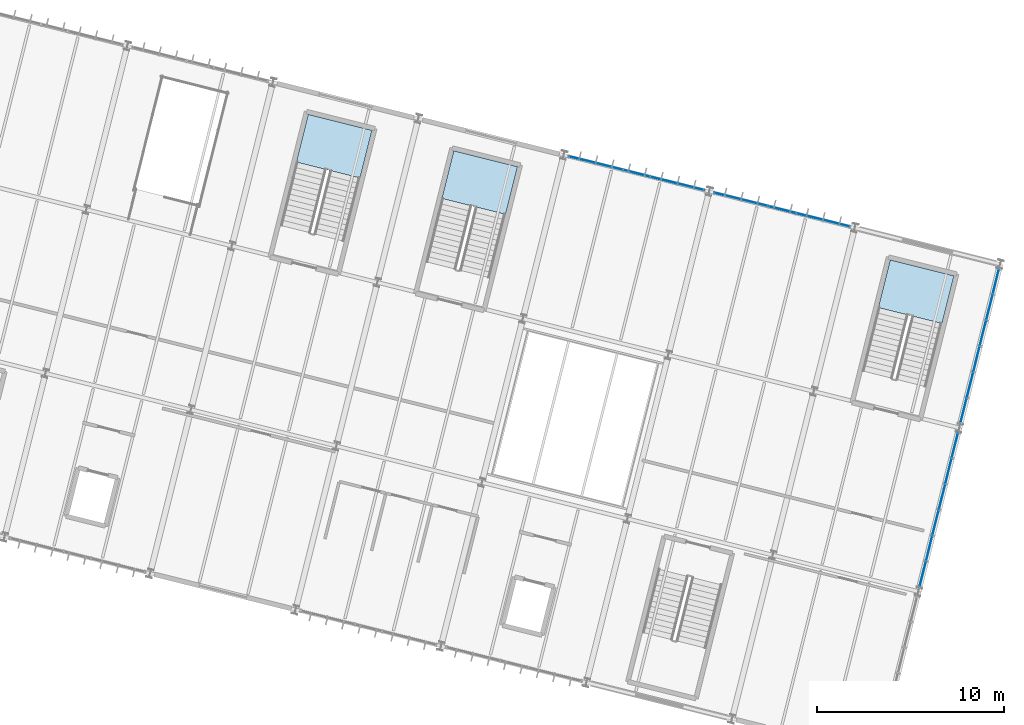
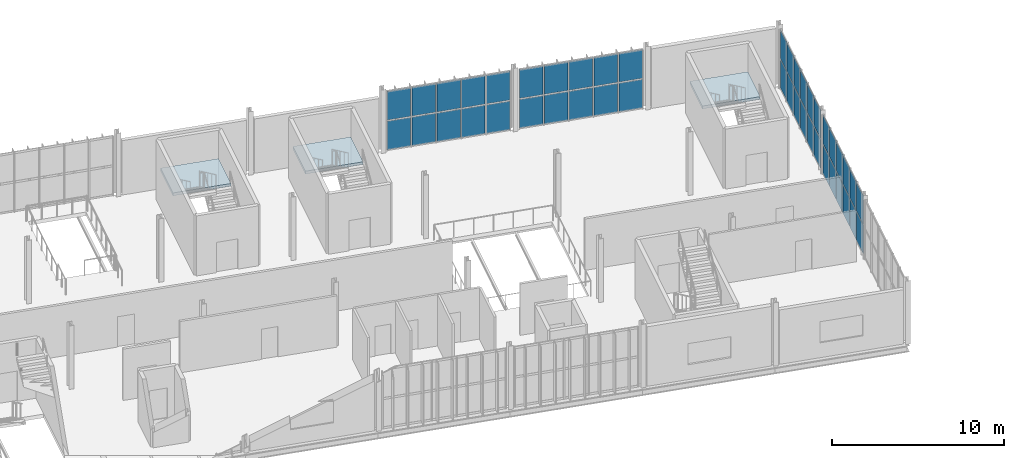
# One storey, part 116 of 152: 44 plates, 3 slabs, 7 elements without a shape of their own.
"""IFC4 building model written with IfcOpenShell, lengths in metres."""

import ifcopenshell
import ifcopenshell.guid

model = None  # the IFC model being written
_history = None  # IfcOwnerHistory: only IFC2X3 demands one
_inside = {}  # id of a spatial element -> (the spatial element, [elements in it])
_under = {}  # id of a project, library or spatial element -> (it, [spatial elements below it])
_declared = {}  # id of a project -> (the project, [libraries it declares])
_typed = {}  # id of a type object -> (the type object, [elements of that type])
_made_of = {}  # id of a material, layer set ... -> (it, [elements and type objects made of it])


def new_model(schema):
    """Start an empty IFC model of exactly this schema.

    Asked for "IFC4X3", IfcOpenShell would pick the latest addendum, in which some entities
    have other attributes; the version numbers below select the first issue.
    IFC2X3 requires an IfcOwnerHistory on every rooted entity: one is made here for all.
    """
    global model, _history
    if schema == "IFC4X3":
        model = ifcopenshell.file(schema_version=(4, 3, 0, 0))
    else:
        model = ifcopenshell.file(schema=schema)
    _inside.clear()
    _under.clear()
    _declared.clear()
    _typed.clear()
    _made_of.clear()
    _history = None
    if model.schema == "IFC2X3":
        org = make("IfcOrganization", Name="unknown")
        user = make(
            "IfcPersonAndOrganization",
            ThePerson=make("IfcPerson", FamilyName="unknown"),
            TheOrganization=org,
        )
        app = make(
            "IfcApplication",
            ApplicationDeveloper=org,
            Version="unknown",
            ApplicationFullName="unknown",
            ApplicationIdentifier="unknown",
        )
        _history = make(
            "IfcOwnerHistory",
            OwningUser=user,
            OwningApplication=app,
            ChangeAction="ADDED",
            CreationDate=0,
        )
    return model


def make(cls, **values):
    """One entity of the class cls with the attributes given. An attribute that is None is left unset."""
    return model.create_entity(
        cls, **{name: value for name, value in values.items() if value is not None}
    )


def rooted(cls, **values):
    """An entity with a GlobalId (a new one), such as an element, a storey or a relation."""
    return make(cls, GlobalId=ifcopenshell.guid.new(), OwnerHistory=_history, **values)


def si_unit(unit_type, name, prefix=None):
    """IfcSIUnit, for example si_unit("LENGTHUNIT", "METRE", prefix="MILLI")."""
    return make("IfcSIUnit", UnitType=unit_type, Prefix=prefix, Name=name)


def derived_unit(unit_type, elements):
    """IfcDerivedUnit: a product of units, each with its exponent."""
    return make(
        "IfcDerivedUnit",
        Elements=[
            make("IfcDerivedUnitElement", Unit=unit, Exponent=power)
            for unit, power in elements
        ],
        UnitType=unit_type,
    )


def assignment(units):
    """IfcUnitAssignment: the units of a project."""
    return None if units is None else make("IfcUnitAssignment", Units=units)


def point(xyz):
    """IfcCartesianPoint."""
    return None if xyz is None else make("IfcCartesianPoint", Coordinates=xyz)


def direction(xyz):
    """IfcDirection."""
    return None if xyz is None else make("IfcDirection", DirectionRatios=xyz)


def frame(location, z_axis=None, x_axis=None):
    """IfcAxis2Placement3D, a coordinate frame: its origin and axes. An axis left out is left unset."""
    return make(
        "IfcAxis2Placement3D",
        Location=point(location),
        Axis=direction(z_axis),
        RefDirection=direction(x_axis),
    )


def frame_2d(location, x_axis=None):
    """IfcAxis2Placement2D, a coordinate frame in the plane: its origin and x axis."""
    return make(
        "IfcAxis2Placement2D", Location=point(location), RefDirection=direction(x_axis)
    )


def origin():
    """The frame at (0, 0, 0) with its axes left unset."""
    return frame((0.0, 0.0, 0.0))


def origin_2d():
    """The frame at (0, 0) in the plane with its x axis left unset."""
    return frame_2d((0.0, 0.0))


def place(relative_to, where):
    """IfcLocalPlacement: puts the frame where relative to a parent placement (None: the world)."""
    return make(
        "IfcLocalPlacement", PlacementRelTo=relative_to, RelativePlacement=where
    )


def context(
    kind, dimensions, precision=None, world=None, true_north=None, identifier=None
):
    """IfcGeometricRepresentationContext, for example the 3D "Model" context."""
    return make(
        "IfcGeometricRepresentationContext",
        ContextIdentifier=identifier,
        ContextType=kind,
        CoordinateSpaceDimension=dimensions,
        Precision=precision,
        WorldCoordinateSystem=world,
        TrueNorth=true_north,
    )


def subcontext(parent, identifier, kind, view, scale=None):
    """IfcGeometricRepresentationSubContext, for example "Body" below "Model"."""
    return make(
        "IfcGeometricRepresentationSubContext",
        ContextIdentifier=identifier,
        ContextType=kind,
        ParentContext=parent,
        TargetScale=scale,
        TargetView=view,
    )


def project(units=None, contexts=None):
    """IfcProject with its units and contexts."""
    return rooted(
        "IfcProject",
        Name="project",
        RepresentationContexts=contexts,
        UnitsInContext=assignment(units),
    )


def spatial(cls, under=None, at=None, **own):
    """A site, building, storey or space (cls), placed at a placement, below another one or the project."""
    s = rooted(cls, ObjectPlacement=at, **own)
    if under is not None:
        _under.setdefault(under.id(), (under, []))[1].append(s)
    return s


def polyline(points):
    """IfcPolyline through the points."""
    return make("IfcPolyline", Points=[point(p) for p in points])


def profile(cls, at=None, kind="AREA", **sizes):
    """A parametric profile (cls). Its sizes go by their IFC names, for example OverallWidth=200.0."""
    return make(cls, ProfileType=kind, Position=at, **sizes)


def rectangle(**sizes):
    """IfcRectangleProfileDef."""
    return profile("IfcRectangleProfileDef", **sizes)


def outline(outer, holes=None, kind="AREA"):
    """IfcArbitraryClosedProfileDef: a profile drawn as a closed curve; with holes, ...WithVoids."""
    if holes is None:
        return make("IfcArbitraryClosedProfileDef", ProfileType=kind, OuterCurve=outer)
    return make(
        "IfcArbitraryProfileDefWithVoids",
        ProfileType=kind,
        OuterCurve=outer,
        InnerCurves=holes,
    )


def extrude(swept, where, along, depth):
    """IfcExtrudedAreaSolid: the profile swept, set in the frame where, extruded along a direction by depth."""
    return make(
        "IfcExtrudedAreaSolid",
        SweptArea=swept,
        Position=where,
        ExtrudedDirection=direction(along),
        Depth=depth,
    )


def shape(context_of_items, identifier, shape_type, items):
    """IfcShapeRepresentation: the items that make up one representation, for example the "Body"."""
    return make(
        "IfcShapeRepresentation",
        ContextOfItems=context_of_items,
        RepresentationIdentifier=identifier,
        RepresentationType=shape_type,
        Items=items,
    )


def material(Name=None, Category=None):
    """IfcMaterial."""
    return make("IfcMaterial", Name=Name, Category=Category)


def layer(
    of_material, thickness, ventilated=None, Name=None, Category=None, Priority=None
):
    """IfcMaterialLayer: one layer of a wall or slab, of a material (None: an air gap)."""
    return make(
        "IfcMaterialLayer",
        Material=of_material,
        LayerThickness=thickness,
        IsVentilated=ventilated,
        Name=Name,
        Category=Category,
        Priority=Priority,
    )


def layer_set(layers, Name=None):
    """IfcMaterialLayerSet."""
    return make("IfcMaterialLayerSet", MaterialLayers=layers, LayerSetName=Name)


def made_of(thing, what):
    """Note that an element or type object is made of a material, layer set ...; save() writes the relation."""
    if what is not None:
        _made_of.setdefault(what.id(), (what, []))[1].append(thing)
    return thing


def type_object(cls, material=None, **own):
    """A type object (cls), such as IfcWallType, which elements share."""
    return made_of(rooted(cls, **own), material)


def element(
    cls,
    number,
    at=None,
    inside=None,
    cuts=None,
    type_object=None,
    material=None,
    context=None,
    identifier="Body",
    shape_type=None,
    held_by="IfcProductDefinitionShape",
    body=None,
    shapes=None,
    **own,
):
    """One element of the class cls, such as IfcWall. Its Tag is "e" and its number.

    at: its placement. inside: the storey or other place that contains it. cuts: it is an
    opening in that element (IfcRelVoidsElement). A single representation is given by context,
    identifier, shape_type and body (its items); several are given by shapes. held_by: the class
    of the entity that holds the representations. save() writes the other relations.
    """
    e = rooted(cls, Tag="e%d" % number, ObjectPlacement=at, **own)
    if body is not None:
        shapes = [shape(context, identifier, shape_type, body)]
    if shapes is not None:
        e.Representation = make(held_by, Representations=shapes)
    if inside is not None:
        _inside.setdefault(inside.id(), (inside, []))[1].append(e)
    if cuts is not None:
        rooted(
            "IfcRelVoidsElement", RelatingBuildingElement=cuts, RelatedOpeningElement=e
        )
    if type_object is not None:
        _typed.setdefault(type_object.id(), (type_object, []))[1].append(e)
    return made_of(e, material)


def aggregate(whole, parts):
    """IfcRelAggregates: a whole, such as a stair, and the parts it consists of."""
    return rooted("IfcRelAggregates", RelatingObject=whole, RelatedObjects=parts)


def save(model, path):
    """Write the relations noted so far, then the file.

    IfcRelAggregates (storeys below a building ...), IfcRelContainedInSpatialStructure (elements
    in a storey), IfcRelDefinesByType, IfcRelAssociatesMaterial and IfcRelDeclares: one each for
    every whole, place, type object, material and project.
    """
    for whole, parts in _under.values():
        aggregate(whole, parts)
    for where, things in _inside.values():
        rooted(
            "IfcRelContainedInSpatialStructure",
            RelatedElements=things,
            RelatingStructure=where,
        )
    for kind, things in _typed.values():
        rooted("IfcRelDefinesByType", RelatedObjects=things, RelatingType=kind)
    for what, things in _made_of.values():
        rooted("IfcRelAssociatesMaterial", RelatedObjects=things, RelatingMaterial=what)
    for by, libraries in _declared.values():
        rooted("IfcRelDeclares", RelatingContext=by, RelatedDefinitions=libraries)
    model.write(path)


model = new_model("IFC4")

# Units and contexts
model_context = context("Model", 3, precision=1e-05, world=origin(), true_north=direction((0.0, 1.0)))
body_context = subcontext(model_context, "Body", "Model", "MODEL_VIEW")
ifc_project = project(units=[si_unit("LENGTHUNIT", "METRE"), si_unit("AREAUNIT", "SQUARE_METRE"), si_unit("VOLUMEUNIT", "CUBIC_METRE"), si_unit("PLANEANGLEUNIT", "RADIAN"), si_unit("MASSUNIT", "GRAM", prefix="KILO"), si_unit("THERMODYNAMICTEMPERATUREUNIT", "KELVIN"), si_unit("TIMEUNIT", "SECOND"), derived_unit("THERMALTRANSMITTANCEUNIT", [(si_unit("MASSUNIT", "GRAM", prefix="KILO"), 1), (si_unit("THERMODYNAMICTEMPERATUREUNIT", "KELVIN"), -1), (si_unit("TIMEUNIT", "SECOND"), -3)])], contexts=[model_context])

# Site, building, storey
site_placement = place(None, origin())
site = spatial("IfcSite", under=ifc_project, at=site_placement, CompositionType="ELEMENT")
building_placement = place(site_placement, origin())
building = spatial("IfcBuilding", under=site, at=building_placement, Name="Cambertide Market Hall", CompositionType="ELEMENT")
storey_placement = place(building_placement, frame((0.0, 0.0, 5.39990234375)))
storey = spatial("IfcBuildingStorey", under=building, at=storey_placement, Name="L02", CompositionType="ELEMENT", Elevation=5.39990234375)

# Stair, slab
ifc_material_1 = material(Name="Concrete B35", Category="concrete")
stair_type_1 = type_object("IfcStairType", Name="Concrete Dogleg Stair ST-07B", PredefinedType="HALF_TURN_STAIR", material=ifc_material_1)
stair_1_placement = place(storey_placement, origin())
stair_1 = element("IfcStair", 1, at=stair_1_placement, inside=storey, type_object=stair_type_1, Name="Level 2 Exit Stair Core 07B", PredefinedType="HALF_TURN_STAIR")
ifc_material_2 = material(Name="Concrete B35", Category="concrete")
ifc_layer_1 = layer(ifc_material_2, 0.199951171875, Name="Concrete Stair Half-Landing 200")
ifc_layer_set_1 = layer_set([ifc_layer_1], Name="Concrete B35")
slab_type = type_object("IfcSlabType", Name="Concrete Stair Half-Landing 200", PredefinedType="LANDING", material=ifc_layer_set_1)
slab_1_placement = place(storey_placement, frame((0.0, 0.0, 2.050048828125)))
slab_1 = element("IfcSlab", 2, at=slab_1_placement, type_object=slab_type, Name="ST-07B landing 1", PredefinedType="LANDING", context=body_context, shape_type="SweptSolid", body=[
    extrude(outline(polyline([(142.482666015625, 115.2685546875), (143.119140625, 117.814208984375), (139.7236328125, 118.6630859375), (139.087158203125, 116.117431640625), (142.482666015625, 115.2685546875)])), origin(), (0.0, 0.0, 1.0), 0.199951171875),
])
aggregate(stair_1, [slab_1])

ifc_material_3 = material(Name="Concrete B35", Category="concrete")
stair_type_2 = type_object("IfcStairType", Name="Concrete Dogleg Stair ST-08B", PredefinedType="HALF_TURN_STAIR", material=ifc_material_3)
stair_2_placement = place(storey_placement, origin())
stair_2 = element("IfcStair", 3, at=stair_2_placement, inside=storey, type_object=stair_type_2, Name="Level 2 Exit Stair Core 08B", PredefinedType="HALF_TURN_STAIR")
slab_2_placement = place(storey_placement, frame((0.0, 0.0, 2.050048828125)))
slab_2 = element("IfcSlab", 4, at=slab_2_placement, type_object=slab_type, Name="ST-08B landing 1", PredefinedType="LANDING", context=body_context, shape_type="SweptSolid", body=[
    extrude(outline(polyline([(173.52734375, 107.507568359375), (174.163818359375, 110.05322265625), (170.768310546875, 110.90185546875), (170.1318359375, 108.356201171875), (173.52734375, 107.507568359375)])), origin(), (0.0, 0.0, 1.0), 0.199951171875),
])
aggregate(stair_2, [slab_2])

ifc_material_4 = material(Name="Concrete B35", Category="concrete")
stair_type_3 = type_object("IfcStairType", Name="Concrete Dogleg Stair ST-09", PredefinedType="HALF_TURN_STAIR", material=ifc_material_4)
stair_3_placement = place(storey_placement, origin())
stair_3 = element("IfcStair", 5, at=stair_3_placement, inside=storey, type_object=stair_type_3, Name="Level 2 Exit Stair Core 09", PredefinedType="HALF_TURN_STAIR")
slab_3_placement = place(storey_placement, frame((0.0, 0.0, 2.050048828125)))
slab_3 = element("IfcSlab", 6, at=slab_3_placement, type_object=slab_type, Name="ST-09 landing 1", PredefinedType="LANDING", context=body_context, shape_type="SweptSolid", body=[
    extrude(outline(polyline([(150.243896484375, 113.328369140625), (150.88037109375, 115.8740234375), (147.48486328125, 116.722900390625), (146.848388671875, 114.17724609375), (150.243896484375, 113.328369140625)])), origin(), (0.0, 0.0, 1.0), 0.199951171875),
])
aggregate(stair_3, [slab_3])

# Curtain wall, plates
ifc_material_5 = material(Name="Marine Anodized Aluminium 6063-T6 AA25", Category="aluminium")
curtain_wall_type_1 = type_object("IfcCurtainWallType", Name="Culinary Teaching Kitchen Curtain Wall", PredefinedType="USERDEFINED", material=ifc_material_5)
curtain_wall_1_placement = place(storey_placement, origin())
curtain_wall_1 = element("IfcCurtainWall", 7, at=curtain_wall_1_placement, inside=storey, type_object=curtain_wall_type_1, Name="Level 2 Curtain Wall CW-V4N-L02-6", ObjectType="UNITIZED CURTAIN WALL", PredefinedType="USERDEFINED")
ifc_material_6 = material(Name="Low-E Laminated Insulated Glass", Category="glass")
ifc_layer_2 = layer(ifc_material_6, 0.028076171875, Name="Vision Insulated Glazing Panel 28")
ifc_layer_set_2 = layer_set([ifc_layer_2], Name="Low-E Laminated Insulated Glass")
plate_type = type_object("IfcPlateType", Name="Vision Insulated Glazing Panel 28", PredefinedType="CURTAIN_PANEL", material=ifc_layer_set_2)
plate_1_placement = place(storey_placement, frame((154.316650390625, 116.251708984375, 0.0400390625), z_axis=(0.0, 0.0, 1.0), x_axis=(0.970142500145, -0.242535625038, 0.0)))
plate_1 = element("IfcPlate", 8, at=plate_1_placement, type_object=plate_type, Name="CW-V4N-L02-6 Glazing Panel 1-1", PredefinedType="CURTAIN_PANEL", context=body_context, shape_type="SweptSolid", body=[
    extrude(rectangle(XDim=1.424072265625, YDim=0.028076171875, at=origin_2d()), origin(), (0.0, 0.0, 1.0), 2.030029296875),
])
plate_2_placement = place(storey_placement, frame((155.775634765625, 115.886962890625, 0.0400390625), z_axis=(0.0, 0.0, 1.0), x_axis=(0.970142500145, -0.242535625038, 0.0)))
plate_2 = element("IfcPlate", 9, at=plate_2_placement, type_object=plate_type, Name="CW-V4N-L02-6 Glazing Panel 1-2", PredefinedType="CURTAIN_PANEL", context=body_context, shape_type="SweptSolid", body=[
    extrude(rectangle(XDim=1.424072265625, YDim=0.028076171875, at=origin_2d()), origin(), (0.0, 0.0, 1.0), 2.030029296875),
])
plate_3_placement = place(storey_placement, frame((157.234619140625, 115.522216796875, 0.0400390625), z_axis=(0.0, 0.0, 1.0), x_axis=(0.970142500145, -0.242535625038, 0.0)))
plate_3 = element("IfcPlate", 10, at=plate_3_placement, type_object=plate_type, Name="CW-V4N-L02-6 Glazing Panel 1-3", PredefinedType="CURTAIN_PANEL", context=body_context, shape_type="SweptSolid", body=[
    extrude(rectangle(XDim=1.424072265625, YDim=0.028076171875, at=origin_2d()), origin(), (0.0, 0.0, 1.0), 2.030029296875),
])
plate_4_placement = place(storey_placement, frame((158.69384765625, 115.157470703125, 0.0400390625), z_axis=(0.0, 0.0, 1.0), x_axis=(0.970142500145, -0.242535625038, 0.0)))
plate_4 = element("IfcPlate", 11, at=plate_4_placement, type_object=plate_type, Name="CW-V4N-L02-6 Glazing Panel 1-4", PredefinedType="CURTAIN_PANEL", context=body_context, shape_type="SweptSolid", body=[
    extrude(rectangle(XDim=1.424072265625, YDim=0.028076171875, at=origin_2d()), origin(), (0.0, 0.0, 1.0), 2.030029296875),
])
plate_5_placement = place(storey_placement, frame((160.15283203125, 114.792724609375, 0.0400390625), z_axis=(0.0, 0.0, 1.0), x_axis=(0.970142500145, -0.242535625038, 0.0)))
plate_5 = element("IfcPlate", 12, at=plate_5_placement, type_object=plate_type, Name="CW-V4N-L02-6 Glazing Panel 1-5", PredefinedType="CURTAIN_PANEL", context=body_context, shape_type="SweptSolid", body=[
    extrude(rectangle(XDim=1.424072265625, YDim=0.028076171875, at=origin_2d()), origin(), (0.0, 0.0, 1.0), 2.030029296875),
])
plate_6_placement = place(storey_placement, frame((154.316650390625, 116.251708984375, 2.14990234375), z_axis=(0.0, 0.0, 1.0), x_axis=(0.970142500145, -0.242535625038, 0.0)))
plate_6 = element("IfcPlate", 13, at=plate_6_placement, type_object=plate_type, Name="CW-V4N-L02-6 Glazing Panel 2-1", PredefinedType="CURTAIN_PANEL", context=body_context, shape_type="SweptSolid", body=[
    extrude(rectangle(XDim=1.424072265625, YDim=0.028076171875, at=origin_2d()), origin(), (0.0, 0.0, 1.0), 2.030029296875),
])
plate_7_placement = place(storey_placement, frame((155.775634765625, 115.886962890625, 2.14990234375), z_axis=(0.0, 0.0, 1.0), x_axis=(0.970142500145, -0.242535625038, 0.0)))
plate_7 = element("IfcPlate", 14, at=plate_7_placement, type_object=plate_type, Name="CW-V4N-L02-6 Glazing Panel 2-2", PredefinedType="CURTAIN_PANEL", context=body_context, shape_type="SweptSolid", body=[
    extrude(rectangle(XDim=1.424072265625, YDim=0.028076171875, at=origin_2d()), origin(), (0.0, 0.0, 1.0), 2.030029296875),
])
plate_8_placement = place(storey_placement, frame((157.234619140625, 115.522216796875, 2.14990234375), z_axis=(0.0, 0.0, 1.0), x_axis=(0.970142500145, -0.242535625038, 0.0)))
plate_8 = element("IfcPlate", 15, at=plate_8_placement, type_object=plate_type, Name="CW-V4N-L02-6 Glazing Panel 2-3", PredefinedType="CURTAIN_PANEL", context=body_context, shape_type="SweptSolid", body=[
    extrude(rectangle(XDim=1.424072265625, YDim=0.028076171875, at=origin_2d()), origin(), (0.0, 0.0, 1.0), 2.030029296875),
])
plate_9_placement = place(storey_placement, frame((158.69384765625, 115.157470703125, 2.14990234375), z_axis=(0.0, 0.0, 1.0), x_axis=(0.970142500145, -0.242535625038, 0.0)))
plate_9 = element("IfcPlate", 16, at=plate_9_placement, type_object=plate_type, Name="CW-V4N-L02-6 Glazing Panel 2-4", PredefinedType="CURTAIN_PANEL", context=body_context, shape_type="SweptSolid", body=[
    extrude(rectangle(XDim=1.424072265625, YDim=0.028076171875, at=origin_2d()), origin(), (0.0, 0.0, 1.0), 2.030029296875),
])
plate_10_placement = place(storey_placement, frame((160.15283203125, 114.792724609375, 2.14990234375), z_axis=(0.0, 0.0, 1.0), x_axis=(0.970142500145, -0.242535625038, 0.0)))
plate_10 = element("IfcPlate", 17, at=plate_10_placement, type_object=plate_type, Name="CW-V4N-L02-6 Glazing Panel 2-5", PredefinedType="CURTAIN_PANEL", context=body_context, shape_type="SweptSolid", body=[
    extrude(rectangle(XDim=1.424072265625, YDim=0.028076171875, at=origin_2d()), origin(), (0.0, 0.0, 1.0), 2.030029296875),
])
aggregate(curtain_wall_1, [plate_1, plate_2, plate_3, plate_4, plate_5, plate_6, plate_7, plate_8, plate_9, plate_10])

curtain_wall_2_placement = place(storey_placement, origin())
curtain_wall_2 = element("IfcCurtainWall", 18, at=curtain_wall_2_placement, inside=storey, type_object=curtain_wall_type_1, Name="Level 2 Curtain Wall CW-V4N-L02-7", ObjectType="UNITIZED CURTAIN WALL", PredefinedType="USERDEFINED")
plate_11_placement = place(storey_placement, frame((162.07763671875, 114.3115234375, 0.0400390625), z_axis=(0.0, 0.0, 1.0), x_axis=(0.970142500145, -0.242535625038, 0.0)))
plate_11 = element("IfcPlate", 19, at=plate_11_placement, type_object=plate_type, Name="CW-V4N-L02-7 Glazing Panel 1-1", PredefinedType="CURTAIN_PANEL", context=body_context, shape_type="SweptSolid", body=[
    extrude(rectangle(XDim=1.424072265625, YDim=0.028076171875, at=origin_2d()), origin(), (0.0, 0.0, 1.0), 2.030029296875),
])
plate_12_placement = place(storey_placement, frame((163.536865234375, 113.94677734375, 0.0400390625), z_axis=(0.0, 0.0, 1.0), x_axis=(0.970142500145, -0.242535625038, 0.0)))
plate_12 = element("IfcPlate", 20, at=plate_12_placement, type_object=plate_type, Name="CW-V4N-L02-7 Glazing Panel 1-2", PredefinedType="CURTAIN_PANEL", context=body_context, shape_type="SweptSolid", body=[
    extrude(rectangle(XDim=1.424072265625, YDim=0.028076171875, at=origin_2d()), origin(), (0.0, 0.0, 1.0), 2.030029296875),
])
plate_13_placement = place(storey_placement, frame((164.995849609375, 113.58203125, 0.0400390625), z_axis=(0.0, 0.0, 1.0), x_axis=(0.970142500145, -0.242535625038, 0.0)))
plate_13 = element("IfcPlate", 21, at=plate_13_placement, type_object=plate_type, Name="CW-V4N-L02-7 Glazing Panel 1-3", PredefinedType="CURTAIN_PANEL", context=body_context, shape_type="SweptSolid", body=[
    extrude(rectangle(XDim=1.424072265625, YDim=0.028076171875, at=origin_2d()), origin(), (0.0, 0.0, 1.0), 2.030029296875),
])
plate_14_placement = place(storey_placement, frame((166.455078125, 113.21728515625, 0.0400390625), z_axis=(0.0, 0.0, 1.0), x_axis=(0.970142500145, -0.242535625038, 0.0)))
plate_14 = element("IfcPlate", 22, at=plate_14_placement, type_object=plate_type, Name="CW-V4N-L02-7 Glazing Panel 1-4", PredefinedType="CURTAIN_PANEL", context=body_context, shape_type="SweptSolid", body=[
    extrude(rectangle(XDim=1.424072265625, YDim=0.028076171875, at=origin_2d()), origin(), (0.0, 0.0, 1.0), 2.030029296875),
])
plate_15_placement = place(storey_placement, frame((167.9140625, 112.8525390625, 0.0400390625), z_axis=(0.0, 0.0, 1.0), x_axis=(0.970142500145, -0.242535625038, 0.0)))
plate_15 = element("IfcPlate", 23, at=plate_15_placement, type_object=plate_type, Name="CW-V4N-L02-7 Glazing Panel 1-5", PredefinedType="CURTAIN_PANEL", context=body_context, shape_type="SweptSolid", body=[
    extrude(rectangle(XDim=1.424072265625, YDim=0.028076171875, at=origin_2d()), origin(), (0.0, 0.0, 1.0), 2.030029296875),
])
plate_16_placement = place(storey_placement, frame((162.07763671875, 114.3115234375, 2.14990234375), z_axis=(0.0, 0.0, 1.0), x_axis=(0.970142500145, -0.242535625038, 0.0)))
plate_16 = element("IfcPlate", 24, at=plate_16_placement, type_object=plate_type, Name="CW-V4N-L02-7 Glazing Panel 2-1", PredefinedType="CURTAIN_PANEL", context=body_context, shape_type="SweptSolid", body=[
    extrude(rectangle(XDim=1.424072265625, YDim=0.028076171875, at=origin_2d()), origin(), (0.0, 0.0, 1.0), 2.030029296875),
])
plate_17_placement = place(storey_placement, frame((163.536865234375, 113.94677734375, 2.14990234375), z_axis=(0.0, 0.0, 1.0), x_axis=(0.970142500145, -0.242535625038, 0.0)))
plate_17 = element("IfcPlate", 25, at=plate_17_placement, type_object=plate_type, Name="CW-V4N-L02-7 Glazing Panel 2-2", PredefinedType="CURTAIN_PANEL", context=body_context, shape_type="SweptSolid", body=[
    extrude(rectangle(XDim=1.424072265625, YDim=0.028076171875, at=origin_2d()), origin(), (0.0, 0.0, 1.0), 2.030029296875),
])
plate_18_placement = place(storey_placement, frame((164.995849609375, 113.58203125, 2.14990234375), z_axis=(0.0, 0.0, 1.0), x_axis=(0.970142500145, -0.242535625038, 0.0)))
plate_18 = element("IfcPlate", 26, at=plate_18_placement, type_object=plate_type, Name="CW-V4N-L02-7 Glazing Panel 2-3", PredefinedType="CURTAIN_PANEL", context=body_context, shape_type="SweptSolid", body=[
    extrude(rectangle(XDim=1.424072265625, YDim=0.028076171875, at=origin_2d()), origin(), (0.0, 0.0, 1.0), 2.030029296875),
])
plate_19_placement = place(storey_placement, frame((166.455078125, 113.21728515625, 2.14990234375), z_axis=(0.0, 0.0, 1.0), x_axis=(0.970142500145, -0.242535625038, 0.0)))
plate_19 = element("IfcPlate", 27, at=plate_19_placement, type_object=plate_type, Name="CW-V4N-L02-7 Glazing Panel 2-4", PredefinedType="CURTAIN_PANEL", context=body_context, shape_type="SweptSolid", body=[
    extrude(rectangle(XDim=1.424072265625, YDim=0.028076171875, at=origin_2d()), origin(), (0.0, 0.0, 1.0), 2.030029296875),
])
plate_20_placement = place(storey_placement, frame((167.9140625, 112.8525390625, 2.14990234375), z_axis=(0.0, 0.0, 1.0), x_axis=(0.970142500145, -0.242535625038, 0.0)))
plate_20 = element("IfcPlate", 28, at=plate_20_placement, type_object=plate_type, Name="CW-V4N-L02-7 Glazing Panel 2-5", PredefinedType="CURTAIN_PANEL", context=body_context, shape_type="SweptSolid", body=[
    extrude(rectangle(XDim=1.424072265625, YDim=0.028076171875, at=origin_2d()), origin(), (0.0, 0.0, 1.0), 2.030029296875),
])
aggregate(curtain_wall_2, [plate_11, plate_12, plate_13, plate_14, plate_15, plate_16, plate_17, plate_18, plate_19, plate_20])

ifc_material_7 = material(Name="Marine Anodized Aluminium 6063-T6 AA25", Category="aluminium")
curtain_wall_type_2 = type_object("IfcCurtainWallType", Name="Cooking School Classroom Curtain Wall", PredefinedType="USERDEFINED", material=ifc_material_7)
curtain_wall_3_placement = place(storey_placement, origin())
curtain_wall_3 = element("IfcCurtainWall", 29, at=curtain_wall_3_placement, inside=storey, type_object=curtain_wall_type_2, Name="Level 2 Curtain Wall CW-V4E-L02-2", ObjectType="UNITIZED CURTAIN WALL", PredefinedType="USERDEFINED")
plate_21_placement = place(storey_placement, frame((174.224365234375, 101.0185546875, 0.0400390625), z_axis=(0.0, 0.0, 1.0), x_axis=(-0.24253568027, -0.970142486337, 0.0)))
plate_21 = element("IfcPlate", 30, at=plate_21_placement, type_object=plate_type, Name="CW-V4E-L02-2 Glazing Panel 1-1", PredefinedType="CURTAIN_PANEL", context=body_context, shape_type="SweptSolid", body=[
    extrude(rectangle(XDim=1.340087890625, YDim=0.028076171875, at=origin_2d()), origin(), (0.0, 0.0, 1.0), 2.030029296875),
])
plate_22_placement = place(storey_placement, frame((173.8798828125, 99.64111328125, 0.0400390625), z_axis=(0.0, 0.0, 1.0), x_axis=(-0.24253568027, -0.970142486337, 0.0)))
plate_22 = element("IfcPlate", 31, at=plate_22_placement, type_object=plate_type, Name="CW-V4E-L02-2 Glazing Panel 1-2", PredefinedType="CURTAIN_PANEL", context=body_context, shape_type="SweptSolid", body=[
    extrude(rectangle(XDim=1.340087890625, YDim=0.028076171875, at=origin_2d()), origin(), (0.0, 0.0, 1.0), 2.030029296875),
])
plate_23_placement = place(storey_placement, frame((173.53564453125, 98.263427734375, 0.0400390625), z_axis=(0.0, 0.0, 1.0), x_axis=(-0.24253568027, -0.970142486337, 0.0)))
plate_23 = element("IfcPlate", 32, at=plate_23_placement, type_object=plate_type, Name="CW-V4E-L02-2 Glazing Panel 1-3", PredefinedType="CURTAIN_PANEL", context=body_context, shape_type="SweptSolid", body=[
    extrude(rectangle(XDim=1.340087890625, YDim=0.028076171875, at=origin_2d()), origin(), (0.0, 0.0, 1.0), 2.030029296875),
])
plate_24_placement = place(storey_placement, frame((173.191162109375, 96.8857421875, 0.0400390625), z_axis=(0.0, 0.0, 1.0), x_axis=(-0.24253568027, -0.970142486337, 0.0)))
plate_24 = element("IfcPlate", 33, at=plate_24_placement, type_object=plate_type, Name="CW-V4E-L02-2 Glazing Panel 1-4", PredefinedType="CURTAIN_PANEL", context=body_context, shape_type="SweptSolid", body=[
    extrude(rectangle(XDim=1.340087890625, YDim=0.028076171875, at=origin_2d()), origin(), (0.0, 0.0, 1.0), 2.030029296875),
])
plate_25_placement = place(storey_placement, frame((172.8466796875, 95.50830078125, 0.0400390625), z_axis=(0.0, 0.0, 1.0), x_axis=(-0.24253568027, -0.970142486337, 0.0)))
plate_25 = element("IfcPlate", 34, at=plate_25_placement, type_object=plate_type, Name="CW-V4E-L02-2 Glazing Panel 1-5", PredefinedType="CURTAIN_PANEL", context=body_context, shape_type="SweptSolid", body=[
    extrude(rectangle(XDim=1.340087890625, YDim=0.028076171875, at=origin_2d()), origin(), (0.0, 0.0, 1.0), 2.030029296875),
])
plate_26_placement = place(storey_placement, frame((172.50244140625, 94.130615234375, 0.0400390625), z_axis=(0.0, 0.0, 1.0), x_axis=(-0.24253568027, -0.970142486337, 0.0)))
plate_26 = element("IfcPlate", 35, at=plate_26_placement, type_object=plate_type, Name="CW-V4E-L02-2 Glazing Panel 1-6", PredefinedType="CURTAIN_PANEL", context=body_context, shape_type="SweptSolid", body=[
    extrude(rectangle(XDim=1.340087890625, YDim=0.028076171875, at=origin_2d()), origin(), (0.0, 0.0, 1.0), 2.030029296875),
])
plate_27_placement = place(storey_placement, frame((174.224365234375, 101.0185546875, 2.14990234375), z_axis=(0.0, 0.0, 1.0), x_axis=(-0.24253568027, -0.970142486337, 0.0)))
plate_27 = element("IfcPlate", 36, at=plate_27_placement, type_object=plate_type, Name="CW-V4E-L02-2 Glazing Panel 2-1", PredefinedType="CURTAIN_PANEL", context=body_context, shape_type="SweptSolid", body=[
    extrude(rectangle(XDim=1.340087890625, YDim=0.028076171875, at=origin_2d()), origin(), (0.0, 0.0, 1.0), 2.030029296875),
])
plate_28_placement = place(storey_placement, frame((173.8798828125, 99.64111328125, 2.14990234375), z_axis=(0.0, 0.0, 1.0), x_axis=(-0.24253568027, -0.970142486337, 0.0)))
plate_28 = element("IfcPlate", 37, at=plate_28_placement, type_object=plate_type, Name="CW-V4E-L02-2 Glazing Panel 2-2", PredefinedType="CURTAIN_PANEL", context=body_context, shape_type="SweptSolid", body=[
    extrude(rectangle(XDim=1.340087890625, YDim=0.028076171875, at=origin_2d()), origin(), (0.0, 0.0, 1.0), 2.030029296875),
])
plate_29_placement = place(storey_placement, frame((173.53564453125, 98.263427734375, 2.14990234375), z_axis=(0.0, 0.0, 1.0), x_axis=(-0.24253568027, -0.970142486337, 0.0)))
plate_29 = element("IfcPlate", 38, at=plate_29_placement, type_object=plate_type, Name="CW-V4E-L02-2 Glazing Panel 2-3", PredefinedType="CURTAIN_PANEL", context=body_context, shape_type="SweptSolid", body=[
    extrude(rectangle(XDim=1.340087890625, YDim=0.028076171875, at=origin_2d()), origin(), (0.0, 0.0, 1.0), 2.030029296875),
])
plate_30_placement = place(storey_placement, frame((173.191162109375, 96.8857421875, 2.14990234375), z_axis=(0.0, 0.0, 1.0), x_axis=(-0.24253568027, -0.970142486337, 0.0)))
plate_30 = element("IfcPlate", 39, at=plate_30_placement, type_object=plate_type, Name="CW-V4E-L02-2 Glazing Panel 2-4", PredefinedType="CURTAIN_PANEL", context=body_context, shape_type="SweptSolid", body=[
    extrude(rectangle(XDim=1.340087890625, YDim=0.028076171875, at=origin_2d()), origin(), (0.0, 0.0, 1.0), 2.030029296875),
])
plate_31_placement = place(storey_placement, frame((172.8466796875, 95.50830078125, 2.14990234375), z_axis=(0.0, 0.0, 1.0), x_axis=(-0.24253568027, -0.970142486337, 0.0)))
plate_31 = element("IfcPlate", 40, at=plate_31_placement, type_object=plate_type, Name="CW-V4E-L02-2 Glazing Panel 2-5", PredefinedType="CURTAIN_PANEL", context=body_context, shape_type="SweptSolid", body=[
    extrude(rectangle(XDim=1.340087890625, YDim=0.028076171875, at=origin_2d()), origin(), (0.0, 0.0, 1.0), 2.030029296875),
])
plate_32_placement = place(storey_placement, frame((172.50244140625, 94.130615234375, 2.14990234375), z_axis=(0.0, 0.0, 1.0), x_axis=(-0.24253568027, -0.970142486337, 0.0)))
plate_32 = element("IfcPlate", 41, at=plate_32_placement, type_object=plate_type, Name="CW-V4E-L02-2 Glazing Panel 2-6", PredefinedType="CURTAIN_PANEL", context=body_context, shape_type="SweptSolid", body=[
    extrude(rectangle(XDim=1.340087890625, YDim=0.028076171875, at=origin_2d()), origin(), (0.0, 0.0, 1.0), 2.030029296875),
])
aggregate(curtain_wall_3, [plate_21, plate_22, plate_23, plate_24, plate_25, plate_26, plate_27, plate_28, plate_29, plate_30, plate_31, plate_32])

curtain_wall_4_placement = place(storey_placement, origin())
curtain_wall_4 = element("IfcCurtainWall", 42, at=curtain_wall_4_placement, inside=storey, type_object=curtain_wall_type_2, Name="Level 2 Curtain Wall CW-V4E-L02-3", ObjectType="UNITIZED CURTAIN WALL", PredefinedType="USERDEFINED")
plate_33_placement = place(storey_placement, frame((176.4072265625, 109.75, 0.0400390625), z_axis=(0.0, 0.0, 1.0), x_axis=(-0.242535569805, -0.970142513953, 0.0)))
plate_33 = element("IfcPlate", 43, at=plate_33_placement, type_object=plate_type, Name="CW-V4E-L02-3 Glazing Panel 1-1", PredefinedType="CURTAIN_PANEL", context=body_context, shape_type="SweptSolid", body=[
    extrude(rectangle(XDim=1.340087890625, YDim=0.028076171875, at=origin_2d()), origin(), (0.0, 0.0, 1.0), 2.030029296875),
])
plate_34_placement = place(storey_placement, frame((176.062744140625, 108.372314453125, 0.0400390625), z_axis=(0.0, 0.0, 1.0), x_axis=(-0.242535569805, -0.970142513953, 0.0)))
plate_34 = element("IfcPlate", 44, at=plate_34_placement, type_object=plate_type, Name="CW-V4E-L02-3 Glazing Panel 1-2", PredefinedType="CURTAIN_PANEL", context=body_context, shape_type="SweptSolid", body=[
    extrude(rectangle(XDim=1.340087890625, YDim=0.028076171875, at=origin_2d()), origin(), (0.0, 0.0, 1.0), 2.030029296875),
])
plate_35_placement = place(storey_placement, frame((175.71826171875, 106.99462890625, 0.0400390625), z_axis=(0.0, 0.0, 1.0), x_axis=(-0.242535569805, -0.970142513953, 0.0)))
plate_35 = element("IfcPlate", 45, at=plate_35_placement, type_object=plate_type, Name="CW-V4E-L02-3 Glazing Panel 1-3", PredefinedType="CURTAIN_PANEL", context=body_context, shape_type="SweptSolid", body=[
    extrude(rectangle(XDim=1.340087890625, YDim=0.028076171875, at=origin_2d()), origin(), (0.0, 0.0, 1.0), 2.030029296875),
])
plate_36_placement = place(storey_placement, frame((175.3740234375, 105.6171875, 0.0400390625), z_axis=(0.0, 0.0, 1.0), x_axis=(-0.242535569805, -0.970142513953, 0.0)))
plate_36 = element("IfcPlate", 46, at=plate_36_placement, type_object=plate_type, Name="CW-V4E-L02-3 Glazing Panel 1-4", PredefinedType="CURTAIN_PANEL", context=body_context, shape_type="SweptSolid", body=[
    extrude(rectangle(XDim=1.340087890625, YDim=0.028076171875, at=origin_2d()), origin(), (0.0, 0.0, 1.0), 2.030029296875),
])
plate_37_placement = place(storey_placement, frame((175.029541015625, 104.239501953125, 0.0400390625), z_axis=(0.0, 0.0, 1.0), x_axis=(-0.242535569805, -0.970142513953, 0.0)))
plate_37 = element("IfcPlate", 47, at=plate_37_placement, type_object=plate_type, Name="CW-V4E-L02-3 Glazing Panel 1-5", PredefinedType="CURTAIN_PANEL", context=body_context, shape_type="SweptSolid", body=[
    extrude(rectangle(XDim=1.340087890625, YDim=0.028076171875, at=origin_2d()), origin(), (0.0, 0.0, 1.0), 2.030029296875),
])
plate_38_placement = place(storey_placement, frame((174.68505859375, 102.86181640625, 0.0400390625), z_axis=(0.0, 0.0, 1.0), x_axis=(-0.242535569805, -0.970142513953, 0.0)))
plate_38 = element("IfcPlate", 48, at=plate_38_placement, type_object=plate_type, Name="CW-V4E-L02-3 Glazing Panel 1-6", PredefinedType="CURTAIN_PANEL", context=body_context, shape_type="SweptSolid", body=[
    extrude(rectangle(XDim=1.340087890625, YDim=0.028076171875, at=origin_2d()), origin(), (0.0, 0.0, 1.0), 2.030029296875),
])
plate_39_placement = place(storey_placement, frame((176.4072265625, 109.75, 2.14990234375), z_axis=(0.0, 0.0, 1.0), x_axis=(-0.242535569805, -0.970142513953, 0.0)))
plate_39 = element("IfcPlate", 49, at=plate_39_placement, type_object=plate_type, Name="CW-V4E-L02-3 Glazing Panel 2-1", PredefinedType="CURTAIN_PANEL", context=body_context, shape_type="SweptSolid", body=[
    extrude(rectangle(XDim=1.340087890625, YDim=0.028076171875, at=origin_2d()), origin(), (0.0, 0.0, 1.0), 2.030029296875),
])
plate_40_placement = place(storey_placement, frame((176.062744140625, 108.372314453125, 2.14990234375), z_axis=(0.0, 0.0, 1.0), x_axis=(-0.242535569805, -0.970142513953, 0.0)))
plate_40 = element("IfcPlate", 50, at=plate_40_placement, type_object=plate_type, Name="CW-V4E-L02-3 Glazing Panel 2-2", PredefinedType="CURTAIN_PANEL", context=body_context, shape_type="SweptSolid", body=[
    extrude(rectangle(XDim=1.340087890625, YDim=0.028076171875, at=origin_2d()), origin(), (0.0, 0.0, 1.0), 2.030029296875),
])
plate_41_placement = place(storey_placement, frame((175.71826171875, 106.99462890625, 2.14990234375), z_axis=(0.0, 0.0, 1.0), x_axis=(-0.242535569805, -0.970142513953, 0.0)))
plate_41 = element("IfcPlate", 51, at=plate_41_placement, type_object=plate_type, Name="CW-V4E-L02-3 Glazing Panel 2-3", PredefinedType="CURTAIN_PANEL", context=body_context, shape_type="SweptSolid", body=[
    extrude(rectangle(XDim=1.340087890625, YDim=0.028076171875, at=origin_2d()), origin(), (0.0, 0.0, 1.0), 2.030029296875),
])
plate_42_placement = place(storey_placement, frame((175.3740234375, 105.6171875, 2.14990234375), z_axis=(0.0, 0.0, 1.0), x_axis=(-0.242535569805, -0.970142513953, 0.0)))
plate_42 = element("IfcPlate", 52, at=plate_42_placement, type_object=plate_type, Name="CW-V4E-L02-3 Glazing Panel 2-4", PredefinedType="CURTAIN_PANEL", context=body_context, shape_type="SweptSolid", body=[
    extrude(rectangle(XDim=1.340087890625, YDim=0.028076171875, at=origin_2d()), origin(), (0.0, 0.0, 1.0), 2.030029296875),
])
plate_43_placement = place(storey_placement, frame((175.029541015625, 104.239501953125, 2.14990234375), z_axis=(0.0, 0.0, 1.0), x_axis=(-0.242535569805, -0.970142513953, 0.0)))
plate_43 = element("IfcPlate", 53, at=plate_43_placement, type_object=plate_type, Name="CW-V4E-L02-3 Glazing Panel 2-5", PredefinedType="CURTAIN_PANEL", context=body_context, shape_type="SweptSolid", body=[
    extrude(rectangle(XDim=1.340087890625, YDim=0.028076171875, at=origin_2d()), origin(), (0.0, 0.0, 1.0), 2.030029296875),
])
plate_44_placement = place(storey_placement, frame((174.68505859375, 102.86181640625, 2.14990234375), z_axis=(0.0, 0.0, 1.0), x_axis=(-0.242535569805, -0.970142513953, 0.0)))
plate_44 = element("IfcPlate", 54, at=plate_44_placement, type_object=plate_type, Name="CW-V4E-L02-3 Glazing Panel 2-6", PredefinedType="CURTAIN_PANEL", context=body_context, shape_type="SweptSolid", body=[
    extrude(rectangle(XDim=1.340087890625, YDim=0.028076171875, at=origin_2d()), origin(), (0.0, 0.0, 1.0), 2.030029296875),
])
aggregate(curtain_wall_4, [plate_33, plate_34, plate_35, plate_36, plate_37, plate_38, plate_39, plate_40, plate_41, plate_42, plate_43, plate_44])

save(model, "model.ifc")
